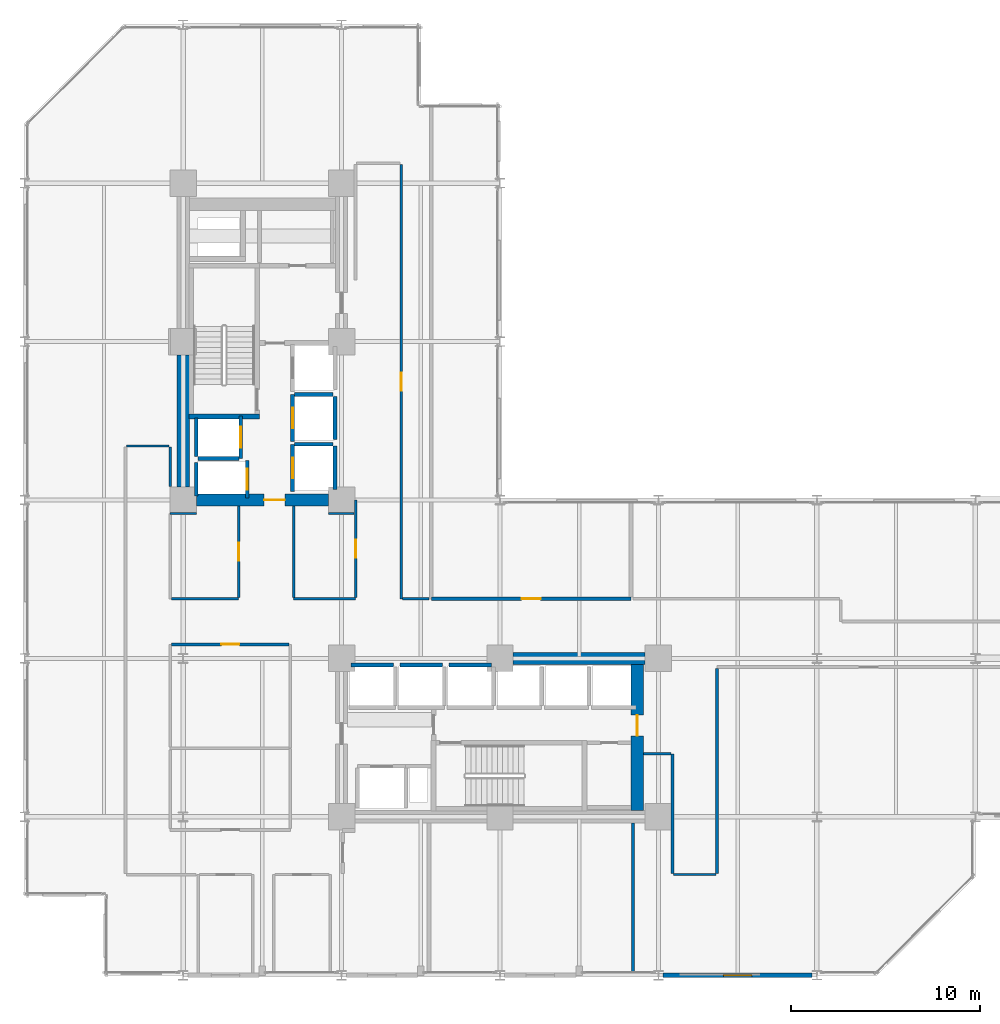
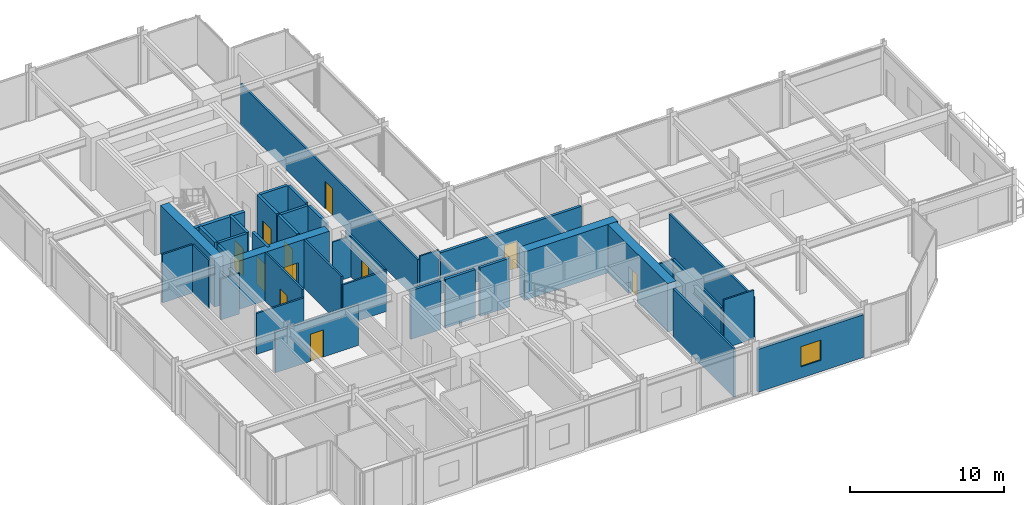
# One storey, part 22 of 26: 38 walls, 11 doors, 1 window, 12 openings.
"""IFC4 building model written with IfcOpenShell, lengths in metres."""

from ifc_helpers import new_model, si_unit, direction, frame, frame_2d, origin, place, context, subcontext, project, spatial, rectangle, extrude, material, layer, layer_set, type_object, element, fill, save


model = new_model("IFC4")

# Units and contexts
model_context = context("Model", 3, precision=1e-05, world=origin(), true_north=direction((0.0, 1.0)))
body_context = subcontext(model_context, "Body", "Model", "MODEL_VIEW")
ifc_project = project(units=[si_unit("LENGTHUNIT", "METRE"), si_unit("AREAUNIT", "SQUARE_METRE"), si_unit("VOLUMEUNIT", "CUBIC_METRE"), si_unit("PLANEANGLEUNIT", "RADIAN"), si_unit("MASSUNIT", "GRAM", prefix="KILO")], contexts=[model_context])

# Site, building, storey
site_placement = place(None, origin())
site = spatial("IfcSite", under=ifc_project, at=site_placement, CompositionType="ELEMENT")
building_placement = place(site_placement, origin())
building = spatial("IfcBuilding", under=site, at=building_placement, Name="Nerrivon Quay Data Exchange", CompositionType="ELEMENT")
storey_placement = place(building_placement, frame((0.0, 0.0, 75.199951171875)))
storey = spatial("IfcBuildingStorey", under=building, at=storey_placement, Name="L17", CompositionType="ELEMENT", Elevation=75.199951171875)

# Wall, opening, window
ifc_material_1 = material(Name="Architectural terracotta precast concrete N50 (50 MPa)", Category="masonry")
ifc_layer_1 = layer(ifc_material_1, 0.239990234375)
ifc_layer_set_1 = layer_set([ifc_layer_1], Name="Architectural terracotta precast concrete N50 (50 MPa)")
wall_type_1 = type_object("IfcWallType", Name="EW-PREC-240", PredefinedType="STANDARD", material=ifc_layer_set_1)
wall_1_placement = place(storey_placement, frame((41.75, 0.0, 0.0), z_axis=(0.0, 0.0, 1.0), x_axis=(-1.0, 0.0, 0.0)))
wall_1 = element("IfcWall", 1, at=wall_1_placement, inside=storey, type_object=wall_type_1, Name="L17 Podium Precast Spandrel Wall 7", PredefinedType="STANDARD", context=body_context, shape_type="SweptSolid", body=[
    extrude(rectangle(XDim=7.89990234375, YDim=0.239990234375, at=frame_2d((3.949951171875, 0.0))), origin(), (0.0, 0.0, 1.0), 3.39599609375),
])
opening_1_placement = place(wall_1_placement, frame((3.199951171875, 0.0, 0.89990234375)))
opening_1 = element("IfcOpeningElement", 2, at=opening_1_placement, cuts=wall_1, Name="Opening WN4", PredefinedType="OPENING", context=body_context, shape_type="SweptSolid", body=[
    extrude(rectangle(XDim=1.5, YDim=1.60009765625, at=frame_2d((0.75, 0.800048828125))), frame((0.0, 0.1298828125, 0.0), z_axis=(0.0, -1.0, 0.0), x_axis=(1.0, 0.0, 0.0)), (0.0, 0.0, 1.0), 0.260009765625),
])
ifc_material_2 = material(Name="Double-glazed low-E solar control glass", Category="glass")
window_type = type_object("IfcWindowType", Name="WIN-W4-1500x1600", PartitioningType="SINGLE_PANEL", PredefinedType="WINDOW", material=ifc_material_2)
window_placement = place(opening_1_placement, origin())
window = element("IfcWindow", 3, at=window_placement, inside=storey, type_object=window_type, Name="L17 Solar Facade Window 7", OverallHeight=1.60009765625, OverallWidth=1.5, PartitioningType="SINGLE_PANEL", PredefinedType="WINDOW", context=body_context, shape_type="SweptSolid", body=[
    extrude(rectangle(XDim=1.5, YDim=1.60009765625, at=frame_2d((0.75, 0.800048828125))), frame((0.0, 0.030029296875, 0.0), z_axis=(0.0, -1.0, 0.0), x_axis=(1.0, 0.0, 0.0)), (0.0, 0.0, 1.0), 0.06005859375),
])
fill(opening_1, window)

# Wall
ifc_material_3 = material(Name="Concrete N80 (80 MPa)", Category="concrete")
ifc_layer_2 = layer(ifc_material_3, 0.64990234375)
ifc_layer_set_2 = layer_set([ifc_layer_2], Name="Concrete N80 (80 MPa)")
wall_type_2 = type_object("IfcWallType", Name="WALL-CW-850", PredefinedType="SHEAR", material=ifc_layer_set_2)
wall_2_placement = place(storey_placement, frame((8.39990234375, 25.89990234375, 0.0), z_axis=(0.0, 0.0, 1.0), x_axis=(0.0, 1.0, 0.0)))
element("IfcWall", 4, at=wall_2_placement, inside=storey, type_object=wall_type_2, Name="L17 West Split-Core Shear Wall WCW-W1", PredefinedType="SHEAR", context=body_context, shape_type="SweptSolid", body=[
    extrude(rectangle(XDim=7.0, YDim=0.64990234375, at=frame_2d((3.5, 0.0))), origin(), (0.0, 0.0, 1.0), 3.85009765625),
])

# Wall, opening, door
wall_3_placement = place(storey_placement, frame((9.10009765625, 25.199951171875, 0.0), z_axis=(0.0, 0.0, 1.0), x_axis=(1.0, 0.0, 0.0)))
wall_3 = element("IfcWall", 5, at=wall_3_placement, inside=storey, type_object=wall_type_2, Name="L17 West Split-Core Shear Wall WCW-S1", PredefinedType="SHEAR", context=body_context, shape_type="SweptSolid", body=[
    extrude(rectangle(XDim=7.0, YDim=0.64990234375, at=frame_2d((3.5, 0.0))), origin(), (0.0, 0.0, 1.0), 3.85009765625),
])
opening_2_placement = place(wall_3_placement, frame((3.60009765625, 0.0, 0.0)))
opening_2 = element("IfcOpeningElement", 6, at=opening_2_placement, cuts=wall_3, Name="Opening FD-120", PredefinedType="OPENING", context=body_context, shape_type="SweptSolid", body=[
    extrude(rectangle(XDim=1.10009765625, YDim=2.14990234375, at=frame_2d((0.550048828125, 1.074951171875))), frame((0.0, 0.3349609375, 0.0), z_axis=(0.0, -1.0, 0.0), x_axis=(1.0, 0.0, 0.0)), (0.0, 0.0, 1.0), 0.669921875),
])
ifc_material_4 = material(Name="Powder-coated galvanized steel sheet", Category="steel")
door_type_1 = type_object("IfcDoorType", Name="DR-FD120-1100", OperationType="NOTDEFINED", PredefinedType="DOOR", material=ifc_material_4)
door_1_placement = place(opening_2_placement, origin())
door_1 = element("IfcDoor", 7, at=door_1_placement, inside=storey, type_object=door_type_1, Name="L17 West Core Lobby Fire Door", OperationType="SINGLE_SWING_LEFT", OverallHeight=2.14990234375, OverallWidth=1.10009765625, PredefinedType="DOOR", context=body_context, shape_type="SweptSolid", body=[
    extrude(rectangle(XDim=1.10009765625, YDim=2.14990234375, at=frame_2d((0.550048828125, 1.074951171875))), frame((0.0, 0.02490234375, 0.0), z_axis=(0.0, -1.0, 0.0), x_axis=(1.0, 0.0, 0.0)), (0.0, 0.0, 1.0), 0.050048828125),
])
fill(opening_2, door_1)

wall_4_placement = place(storey_placement, frame((32.47509765625, 8.72509765625, 0.0), z_axis=(0.0, 0.0, 1.0), x_axis=(0.0, 1.0, 0.0)))
wall_4 = element("IfcWall", 8, at=wall_4_placement, inside=storey, type_object=wall_type_2, Name="L17 East Split-Core Shear Wall ECW-E1", PredefinedType="SHEAR", context=body_context, shape_type="SweptSolid", body=[
    extrude(rectangle(XDim=7.75, YDim=0.64990234375, at=frame_2d((3.875, 0.0))), origin(), (0.0, 0.0, 1.0), 3.85009765625),
])
opening_3_placement = place(wall_4_placement, frame((3.97509765625, 0.0, 0.0)))
opening_3 = element("IfcOpeningElement", 9, at=opening_3_placement, cuts=wall_4, Name="Opening FD-120", PredefinedType="OPENING", context=body_context, shape_type="SweptSolid", body=[
    extrude(rectangle(XDim=1.10009765625, YDim=2.14990234375, at=frame_2d((0.550048828125, 1.074951171875))), frame((0.0, 0.3349609375, 0.0), z_axis=(0.0, -1.0, 0.0), x_axis=(1.0, 0.0, 0.0)), (0.0, 0.0, 1.0), 0.669921875),
])
door_2_placement = place(opening_3_placement, origin())
door_2 = element("IfcDoor", 10, at=door_2_placement, inside=storey, type_object=door_type_1, Name="L17 East Core Lobby Fire Door", OperationType="SINGLE_SWING_RIGHT", OverallHeight=2.14990234375, OverallWidth=1.10009765625, PredefinedType="DOOR", context=body_context, shape_type="SweptSolid", body=[
    extrude(rectangle(XDim=1.10009765625, YDim=2.14990234375, at=frame_2d((0.550048828125, 1.074951171875))), frame((0.0, 0.02490234375, 0.0), z_axis=(0.0, -1.0, 0.0), x_axis=(1.0, 0.0, 0.0)), (0.0, 0.0, 1.0), 0.050048828125),
])
fill(opening_3, door_2)

# Wall
wall_5_placement = place(storey_placement, frame((25.89990234375, 16.800048828125, 0.0), z_axis=(0.0, 0.0, 1.0), x_axis=(1.0, 0.0, 0.0)))
element("IfcWall", 11, at=wall_5_placement, inside=storey, type_object=wall_type_2, Name="L17 East Split-Core Shear Wall ECW-N1", PredefinedType="SHEAR", context=body_context, shape_type="SweptSolid", body=[
    extrude(rectangle(XDim=7.0, YDim=0.64990234375, at=frame_2d((3.5, 0.0))), origin(), (0.0, 0.0, 1.0), 3.85009765625),
])

# Wall, opening, door
ifc_material_5 = material(Name="Gypsum plasterboard on cold-formed framing", Category="gypsum")
ifc_layer_3 = layer(ifc_material_5, 0.199951171875)
ifc_layer_set_3 = layer_set([ifc_layer_3], Name="Gypsum plasterboard on cold-formed framing")
wall_type_3 = type_object("IfcWallType", Name="WALL-FW-200", PredefinedType="PARTITIONING", material=ifc_layer_set_3)
wall_6_placement = place(storey_placement, frame((11.449951171875, 27.39990234375, 0.0), z_axis=(0.0, 0.0, 1.0), x_axis=(0.0, 1.0, 0.0)))
wall_6 = element("IfcWall", 12, at=wall_6_placement, inside=storey, type_object=wall_type_3, Name="L17 Lift Front Wall FFL-1", PredefinedType="PARTITIONING", context=body_context, shape_type="SweptSolid", body=[
    extrude(rectangle(XDim=2.25, YDim=0.199951171875, at=frame_2d((1.125, 0.0))), origin(), (0.0, 0.0, 1.0), 3.85009765625),
])
opening_4_placement = place(wall_6_placement, frame((0.574951171875, 0.0, 0.0)))
opening_4 = element("IfcOpeningElement", 13, at=opening_4_placement, cuts=wall_6, Name="Opening LD-120", PredefinedType="OPENING", context=body_context, shape_type="SweptSolid", body=[
    extrude(rectangle(XDim=1.10009765625, YDim=2.199951171875, at=frame_2d((0.550048828125, 1.10009765625))), frame((0.0, 0.10986328125, 0.0), z_axis=(0.0, -1.0, 0.0), x_axis=(1.0, 0.0, 0.0)), (0.0, 0.0, 1.0), 0.219970703125),
])
door_type_2 = type_object("IfcDoorType", Name="DR-LIFT-LD120", OperationType="DOUBLE_DOOR_SLIDING", PredefinedType="DOOR", material=ifc_material_4)
door_3_placement = place(opening_4_placement, origin())
door_3 = element("IfcDoor", 14, at=door_3_placement, inside=storey, type_object=door_type_2, Name="L17 Lift Landing Sliding Door FFL-1", OperationType="DOUBLE_DOOR_SLIDING", OverallHeight=2.199951171875, OverallWidth=1.10009765625, PredefinedType="DOOR", context=body_context, shape_type="SweptSolid", body=[
    extrude(rectangle(XDim=1.10009765625, YDim=2.199951171875, at=frame_2d((0.550048828125, 1.10009765625))), frame((0.0, 0.02490234375, 0.0), z_axis=(0.0, -1.0, 0.0), x_axis=(1.0, 0.0, 0.0)), (0.0, 0.0, 1.0), 0.050048828125),
])
fill(opening_4, door_3)

# Walls
wall_7_placement = place(storey_placement, frame((9.10009765625, 27.5, 0.0), z_axis=(0.0, 0.0, 1.0), x_axis=(0.0, 1.0, 0.0)))
element("IfcWall", 15, at=wall_7_placement, inside=storey, type_object=wall_type_3, Name="L17 Lift Shaft Wall FFL-1 WEST", PredefinedType="PARTITIONING", context=body_context, shape_type="SweptSolid", body=[
    extrude(rectangle(XDim=2.050048828125, YDim=0.199951171875, at=frame_2d((1.02490234375, 0.0))), origin(), (0.0, 0.0, 1.0), 3.85009765625),
])
wall_8_placement = place(storey_placement, frame((9.199951171875, 27.39990234375, 0.0), z_axis=(0.0, 0.0, 1.0), x_axis=(1.0, 0.0, 0.0)))
element("IfcWall", 16, at=wall_8_placement, inside=storey, type_object=wall_type_3, Name="L17 Lift Shaft Wall FFL-1 SOUTH", PredefinedType="PARTITIONING", context=body_context, shape_type="SweptSolid", body=[
    extrude(rectangle(XDim=2.150146484375, YDim=0.199951171875, at=frame_2d((1.0751953125, 0.0))), origin(), (0.0, 0.0, 1.0), 3.85009765625),
])

# Wall, opening, door
wall_9_placement = place(storey_placement, frame((11.800048828125, 25.300048828125, 0.0), z_axis=(0.0, 0.0, 1.0), x_axis=(0.0, 1.0, 0.0)))
wall_9 = element("IfcWall", 17, at=wall_9_placement, inside=storey, type_object=wall_type_3, Name="L17 Lift Front Wall SVL-1", PredefinedType="PARTITIONING", context=body_context, shape_type="SweptSolid", body=[
    extrude(rectangle(XDim=2.0, YDim=0.199951171875, at=frame_2d((1.0, 0.0))), origin(), (0.0, 0.0, 1.0), 3.85009765625),
])
opening_5_placement = place(wall_9_placement, frame((0.449951171875, 0.0, 0.0)))
opening_5 = element("IfcOpeningElement", 18, at=opening_5_placement, cuts=wall_9, Name="Opening LD-120", PredefinedType="OPENING", context=body_context, shape_type="SweptSolid", body=[
    extrude(rectangle(XDim=1.10009765625, YDim=2.199951171875, at=frame_2d((0.550048828125, 1.10009765625))), frame((0.0, 0.10986328125, 0.0), z_axis=(0.0, -1.0, 0.0), x_axis=(1.0, 0.0, 0.0)), (0.0, 0.0, 1.0), 0.219970703125),
])
door_4_placement = place(opening_5_placement, origin())
door_4 = element("IfcDoor", 19, at=door_4_placement, inside=storey, type_object=door_type_2, Name="L17 Lift Landing Sliding Door SVL-1", OperationType="DOUBLE_DOOR_SLIDING", OverallHeight=2.199951171875, OverallWidth=1.10009765625, PredefinedType="DOOR", context=body_context, shape_type="SweptSolid", body=[
    extrude(rectangle(XDim=1.10009765625, YDim=2.199951171875, at=frame_2d((0.550048828125, 1.10009765625))), frame((0.0, 0.02490234375, 0.0), z_axis=(0.0, -1.0, 0.0), x_axis=(1.0, 0.0, 0.0)), (0.0, 0.0, 1.0), 0.050048828125),
])
fill(opening_5, door_4)

# Wall
wall_10_placement = place(storey_placement, frame((9.10009765625, 25.39990234375, 0.0), z_axis=(0.0, 0.0, 1.0), x_axis=(0.0, 1.0, 0.0)))
element("IfcWall", 20, at=wall_10_placement, inside=storey, type_object=wall_type_3, Name="L17 Lift Shaft Wall SVL-1 WEST", PredefinedType="PARTITIONING", context=body_context, shape_type="SweptSolid", body=[
    extrude(rectangle(XDim=1.800048828125, YDim=0.199951171875, at=frame_2d((0.89990234375, 0.0))), origin(), (0.0, 0.0, 1.0), 3.85009765625),
])

# Wall, opening, door
wall_11_placement = place(storey_placement, frame((14.199951171875, 25.64990234375, 0.0), z_axis=(0.0, 0.0, 1.0), x_axis=(0.0, 1.0, 0.0)))
wall_11 = element("IfcWall", 21, at=wall_11_placement, inside=storey, type_object=wall_type_3, Name="L17 Lift Front Wall PL1", PredefinedType="PARTITIONING", context=body_context, shape_type="SweptSolid", body=[
    extrude(rectangle(XDim=2.5, YDim=0.199951171875, at=frame_2d((1.25, 0.0))), origin(), (0.0, 0.0, 1.0), 3.85009765625),
])
opening_6_placement = place(wall_11_placement, frame((0.699951171875, 0.0, 0.0)))
opening_6 = element("IfcOpeningElement", 22, at=opening_6_placement, cuts=wall_11, Name="Opening LD-120", PredefinedType="OPENING", context=body_context, shape_type="SweptSolid", body=[
    extrude(rectangle(XDim=1.10009765625, YDim=2.199951171875, at=frame_2d((0.550048828125, 1.10009765625))), frame((0.0, 0.10986328125, 0.0), z_axis=(0.0, -1.0, 0.0), x_axis=(1.0, 0.0, 0.0)), (0.0, 0.0, 1.0), 0.219970703125),
])
door_5_placement = place(opening_6_placement, origin())
door_5 = element("IfcDoor", 23, at=door_5_placement, inside=storey, type_object=door_type_2, Name="L17 Lift Landing Sliding Door PL1", OperationType="DOUBLE_DOOR_SLIDING", OverallHeight=2.199951171875, OverallWidth=1.10009765625, PredefinedType="DOOR", context=body_context, shape_type="SweptSolid", body=[
    extrude(rectangle(XDim=1.10009765625, YDim=2.199951171875, at=frame_2d((0.550048828125, 1.10009765625))), frame((0.0, 0.02490234375, 0.0), z_axis=(0.0, -1.0, 0.0), x_axis=(1.0, 0.0, 0.0)), (0.0, 0.0, 1.0), 0.050048828125),
])
fill(opening_6, door_5)

# Walls
wall_12_placement = place(storey_placement, frame((16.449951171875, 25.75, 0.0), z_axis=(0.0, 0.0, 1.0), x_axis=(0.0, 1.0, 0.0)))
element("IfcWall", 24, at=wall_12_placement, inside=storey, type_object=wall_type_3, Name="L17 Lift Shaft Wall PL1 EAST", PredefinedType="PARTITIONING", context=body_context, shape_type="SweptSolid", body=[
    extrude(rectangle(XDim=2.300048828125, YDim=0.199951171875, at=frame_2d((1.14990234375, 0.0))), origin(), (0.0, 0.0, 1.0), 3.85009765625),
])
wall_13_placement = place(storey_placement, frame((14.300048828125, 28.14990234375, 0.0), z_axis=(0.0, 0.0, 1.0), x_axis=(1.0, 0.0, 0.0)))
element("IfcWall", 25, at=wall_13_placement, inside=storey, type_object=wall_type_3, Name="L17 Lift Shaft Wall PL1 NORTH", PredefinedType="PARTITIONING", context=body_context, shape_type="SweptSolid", body=[
    extrude(rectangle(XDim=2.050048828125, YDim=0.199951171875, at=frame_2d((1.02490234375, 0.0))), origin(), (0.0, 0.0, 1.0), 3.85009765625),
])

# Wall, opening, door
wall_14_placement = place(storey_placement, frame((14.199951171875, 28.300048828125, 0.0), z_axis=(0.0, 0.0, 1.0), x_axis=(0.0, 1.0, 0.0)))
wall_14 = element("IfcWall", 26, at=wall_14_placement, inside=storey, type_object=wall_type_3, Name="L17 Lift Front Wall PL2", PredefinedType="PARTITIONING", context=body_context, shape_type="SweptSolid", body=[
    extrude(rectangle(XDim=2.5, YDim=0.199951171875, at=frame_2d((1.25, 0.0))), origin(), (0.0, 0.0, 1.0), 3.85009765625),
])
opening_7_placement = place(wall_14_placement, frame((0.699951171875, 0.0, 0.0)))
opening_7 = element("IfcOpeningElement", 27, at=opening_7_placement, cuts=wall_14, Name="Opening LD-120", PredefinedType="OPENING", context=body_context, shape_type="SweptSolid", body=[
    extrude(rectangle(XDim=1.10009765625, YDim=2.199951171875, at=frame_2d((0.550048828125, 1.10009765625))), frame((0.0, 0.10986328125, 0.0), z_axis=(0.0, -1.0, 0.0), x_axis=(1.0, 0.0, 0.0)), (0.0, 0.0, 1.0), 0.219970703125),
])
door_6_placement = place(opening_7_placement, origin())
door_6 = element("IfcDoor", 28, at=door_6_placement, inside=storey, type_object=door_type_2, Name="L17 Lift Landing Sliding Door PL2", OperationType="DOUBLE_DOOR_SLIDING", OverallHeight=2.199951171875, OverallWidth=1.10009765625, PredefinedType="DOOR", context=body_context, shape_type="SweptSolid", body=[
    extrude(rectangle(XDim=1.10009765625, YDim=2.199951171875, at=frame_2d((0.550048828125, 1.10009765625))), frame((0.0, 0.02490234375, 0.0), z_axis=(0.0, -1.0, 0.0), x_axis=(1.0, 0.0, 0.0)), (0.0, 0.0, 1.0), 0.050048828125),
])
fill(opening_7, door_6)

# Walls
wall_15_placement = place(storey_placement, frame((16.449951171875, 28.39990234375, 0.0), z_axis=(0.0, 0.0, 1.0), x_axis=(0.0, 1.0, 0.0)))
element("IfcWall", 29, at=wall_15_placement, inside=storey, type_object=wall_type_3, Name="L17 Lift Shaft Wall PL2 EAST", PredefinedType="PARTITIONING", context=body_context, shape_type="SweptSolid", body=[
    extrude(rectangle(XDim=2.300048828125, YDim=0.199951171875, at=frame_2d((1.14990234375, 0.0))), origin(), (0.0, 0.0, 1.0), 3.85009765625),
])
wall_16_placement = place(storey_placement, frame((14.300048828125, 30.800048828125, 0.0), z_axis=(0.0, 0.0, 1.0), x_axis=(1.0, 0.0, 0.0)))
element("IfcWall", 30, at=wall_16_placement, inside=storey, type_object=wall_type_3, Name="L17 Lift Shaft Wall PL2 NORTH", PredefinedType="PARTITIONING", context=body_context, shape_type="SweptSolid", body=[
    extrude(rectangle(XDim=2.050048828125, YDim=0.199951171875, at=frame_2d((1.02490234375, 0.0))), origin(), (0.0, 0.0, 1.0), 3.85009765625),
])
for number, where, z_axis, x_axis, name in (
    (31, (17.300048828125, 16.449951171875, 0.0), (0.0, 0.0, 1.0), (1.0, 0.0, 0.0), "L17 Lift Shaft Wall PL4 NORTH"),
    (32, (19.89990234375, 16.449951171875, 0.0), (0.0, 0.0, 1.0), (1.0, 0.0, 0.0), "L17 Lift Shaft Wall PL5 NORTH"),
    (33, (22.5, 16.449951171875, 0.0), (0.0, 0.0, 1.0), (1.0, 0.0, 0.0), "L17 Lift Shaft Wall PL6 NORTH"),
):
    element("IfcWall", number, at=place(storey_placement, frame(where, z_axis=z_axis, x_axis=x_axis)), inside=storey, type_object=wall_type_3, Name=name, PredefinedType="PARTITIONING", context=body_context, shape_type="SweptSolid", body=[
        extrude(rectangle(XDim=2.25, YDim=0.199951171875, at=frame_2d((1.125, 0.0))), origin(), (0.0, 0.0, 1.0), 3.85009765625),
    ])

# Wall, opening, door
wall_17_placement = place(storey_placement, frame((21.556884765625, 19.9599609375, 0.0), z_axis=(0.0, 0.0, 1.0), x_axis=(1.0, 0.0, 0.0)))
wall_17 = element("IfcWall", 34, at=wall_17_placement, inside=storey, type_object=wall_type_3, Name="L17 Partition Colocation Data Workspace 2", PredefinedType="PARTITIONING", context=body_context, shape_type="SweptSolid", body=[
    extrude(rectangle(XDim=10.5830078125, YDim=0.199951171875, at=frame_2d((5.29150390625, 0.0))), origin(), (0.0, 0.0, 1.0), 3.248046875),
])
opening_8_placement = place(wall_17_placement, frame((4.79150390625, 0.0, 0.0)))
opening_8 = element("IfcOpeningElement", 35, at=opening_8_placement, cuts=wall_17, Name="Opening FD-60", PredefinedType="OPENING", context=body_context, shape_type="SweptSolid", body=[
    extrude(rectangle(XDim=1.0, YDim=2.14990234375, at=frame_2d((0.5, 1.074951171875))), frame((0.0, 0.10986328125, 0.0), z_axis=(0.0, -1.0, 0.0), x_axis=(1.0, 0.0, 0.0)), (0.0, 0.0, 1.0), 0.219970703125),
])
ifc_material_6 = material(Name="Engineered hardwood timber", Category="wood")
door_type_3 = type_object("IfcDoorType", Name="DR-FD60-1000", OperationType="NOTDEFINED", PredefinedType="DOOR", material=ifc_material_6)
door_7_placement = place(opening_8_placement, origin())
door_7 = element("IfcDoor", 36, at=door_7_placement, inside=storey, type_object=door_type_3, Name="L17 Door Colocation Data Workspace 2", OperationType="SINGLE_SWING_RIGHT", OverallHeight=2.14990234375, OverallWidth=1.0, PredefinedType="DOOR", context=body_context, shape_type="SweptSolid", body=[
    extrude(rectangle(XDim=1.0, YDim=2.14990234375, at=frame_2d((0.5, 1.074951171875))), frame((0.0, 0.02490234375, 0.0), z_axis=(0.0, -1.0, 0.0), x_axis=(1.0, 0.0, 0.0)), (0.0, 0.0, 1.0), 0.050048828125),
])
fill(opening_8, door_7)

# Walls
ifc_layer_4 = layer(ifc_material_5, 0.1201171875)
ifc_layer_set_4 = layer_set([ifc_layer_4], Name="Gypsum plasterboard on cold-formed framing")
wall_type_4 = type_object("IfcWallType", Name="WALL-PT-120", PredefinedType="PARTITIONING", material=ifc_layer_set_4)
wall_18_placement = place(storey_placement, frame((17.468505859375, 24.47998046875, 0.0), z_axis=(0.0, 0.0, 1.0), x_axis=(-0.99999974752, 0.000710605612, 0.0)))
element("IfcWall", 37, at=wall_18_placement, inside=storey, type_object=wall_type_4, Name="L17 Partition Staff Pantry", PredefinedType="PARTITIONING", context=body_context, shape_type="SweptSolid", body=[
    extrude(rectangle(XDim=1.374267578125, YDim=0.1201171875, at=frame_2d((0.68701171875, 0.0))), origin(), (0.0, 0.0, 1.0), 3.248046875),
])
wall_19_placement = place(storey_placement, frame((36.64990234375, 5.340087890625, 0.0), z_axis=(0.0, 0.0, 1.0), x_axis=(-1.0, 0.0, 0.0)))
element("IfcWall", 38, at=wall_19_placement, inside=storey, type_object=wall_type_4, Name="L17 Partition Network Operations Office 1", PredefinedType="PARTITIONING", context=body_context, shape_type="SweptSolid", body=[
    extrude(rectangle(XDim=2.25, YDim=0.1201171875, at=frame_2d((1.125, 0.0))), origin(), (0.0, 0.0, 1.0), 3.85009765625),
])
wall_20_placement = place(storey_placement, frame((34.260986328125, 11.739990234375, 0.0), z_axis=(0.0, 0.0, 1.0), x_axis=(-1.0, 0.0, 0.0)))
element("IfcWall", 39, at=wall_20_placement, inside=storey, type_object=wall_type_4, Name="L17 Partition Network Operations Office 1", PredefinedType="PARTITIONING", context=body_context, shape_type="SweptSolid", body=[
    extrude(rectangle(XDim=1.45703125, YDim=0.1201171875, at=frame_2d((0.728515625, 0.0))), origin(), (0.0, 0.0, 1.0), 3.248046875),
])
wall_21_placement = place(storey_placement, frame((20.0390625, 19.9599609375, 0.0), z_axis=(0.0, 0.0, 1.0), x_axis=(1.0, 0.0, 0.0)))
element("IfcWall", 40, at=wall_21_placement, inside=storey, type_object=wall_type_4, Name="L17 Partition Optical Engineering Studios Workspace", PredefinedType="PARTITIONING", context=body_context, shape_type="SweptSolid", body=[
    extrude(rectangle(XDim=1.397705078125, YDim=0.1201171875, at=frame_2d((0.69873046875, 0.0))), origin(), (0.0, 0.0, 1.0), 3.490966796875),
])
wall_22_placement = place(storey_placement, frame((5.39990234375, 28.06005859375, 0.0), z_axis=(0.0, 0.0, 1.0), x_axis=(1.0, 0.0, 0.0)))
element("IfcWall", 41, at=wall_22_placement, inside=storey, type_object=wall_type_4, Name="L17 Partition Optical Engineering Studios Workspace", PredefinedType="PARTITIONING", context=body_context, shape_type="SweptSolid", body=[
    extrude(rectangle(XDim=2.25, YDim=0.1201171875, at=frame_2d((1.125, 0.0))), origin(), (0.0, 0.0, 1.0), 3.85009765625),
])
wall_23_placement = place(storey_placement, frame((7.7099609375, 28.0, 0.0), z_axis=(0.0, 0.0, 1.0), x_axis=(0.0, -1.0, 0.0)))
element("IfcWall", 42, at=wall_23_placement, inside=storey, type_object=wall_type_4, Name="L17 Partition Optical Engineering Studios Workspace", PredefinedType="PARTITIONING", context=body_context, shape_type="SweptSolid", body=[
    extrude(rectangle(XDim=2.080078125, YDim=0.1201171875, at=frame_2d((1.0400390625, 0.0))), origin(), (0.0, 0.0, 1.0), 3.85009765625),
])
wall_24_placement = place(storey_placement, frame((9.105712890625, 24.48095703125, 0.0), z_axis=(0.0, 0.0, 1.0), x_axis=(-0.999999755233, -0.000699667487, 0.0)))
element("IfcWall", 43, at=wall_24_placement, inside=storey, type_object=wall_type_4, Name="L17 Partition Optical Engineering Studios Workspace", PredefinedType="PARTITIONING", context=body_context, shape_type="SweptSolid", body=[
    extrude(rectangle(XDim=1.395751953125, YDim=0.1201171875, at=frame_2d((0.69775390625, 0.0))), origin(), (0.0, 0.0, 1.0), 3.248046875),
])
ifc_layer_5 = layer(ifc_material_5, 0.135009765625)
ifc_layer_set_5 = layer_set([ifc_layer_5], Name="Gypsum plasterboard on cold-formed framing")
wall_type_5 = type_object("IfcWallType", Name="WALL-PT-135", PredefinedType="PARTITIONING", material=ifc_layer_set_5)
wall_25_placement = place(storey_placement, frame((14.260009765625, 19.9599609375, 0.0), z_axis=(0.0, 0.0, 1.0), x_axis=(1.0, 0.0, 0.0)))
element("IfcWall", 44, at=wall_25_placement, inside=storey, type_object=wall_type_5, Name="L17 Partition Staff Pantry", PredefinedType="PARTITIONING", context=body_context, shape_type="SweptSolid", body=[
    extrude(rectangle(XDim=3.280029296875, YDim=0.135009765625, at=frame_2d((1.64013671875, 0.0))), origin(), (0.0, 0.0, 1.0), 3.248046875),
])

# Wall, opening, door
wall_26_placement = place(storey_placement, frame((17.5400390625, 20.031494140625, 0.0), z_axis=(0.0, 0.0, 1.0), x_axis=(0.0, 1.0, 0.0)))
wall_26 = element("IfcWall", 45, at=wall_26_placement, inside=storey, type_object=wall_type_5, Name="L17 Partition Staff Pantry", PredefinedType="PARTITIONING", context=body_context, shape_type="SweptSolid", body=[
    extrude(rectangle(XDim=5.16845703125, YDim=0.135009765625, at=frame_2d((2.584228515625, 0.0))), origin(), (0.0, 0.0, 1.0), 3.238037109375),
])
opening_9_placement = place(wall_26_placement, frame((2.109130859375, 0.0, 0.0)))
opening_9 = element("IfcOpeningElement", 46, at=opening_9_placement, cuts=wall_26, Name="Opening D-01", PredefinedType="OPENING", context=body_context, shape_type="SweptSolid", body=[
    extrude(rectangle(XDim=0.949951171875, YDim=2.14990234375, at=frame_2d((0.47509765625, 1.074951171875))), frame((0.0, 0.077392578125, 0.0), z_axis=(0.0, -1.0, 0.0), x_axis=(1.0, 0.0, 0.0)), (0.0, 0.0, 1.0), 0.155029296875),
])
door_type_4 = type_object("IfcDoorType", Name="DR-INT-950", OperationType="NOTDEFINED", PredefinedType="DOOR", material=ifc_material_6)
door_8_placement = place(opening_9_placement, origin())
door_8 = element("IfcDoor", 47, at=door_8_placement, inside=storey, type_object=door_type_4, Name="L17 Door Staff Pantry", OperationType="SINGLE_SWING_RIGHT", OverallHeight=2.14990234375, OverallWidth=0.949951171875, PredefinedType="DOOR", context=body_context, shape_type="SweptSolid", body=[
    extrude(rectangle(XDim=0.949951171875, YDim=2.14990234375, at=frame_2d((0.47509765625, 1.074951171875))), frame((0.0, 0.02490234375, 0.0), z_axis=(0.0, -1.0, 0.0), x_axis=(1.0, 0.0, 0.0)), (0.0, 0.0, 1.0), 0.050048828125),
])
fill(opening_9, door_8)

# Walls
wall_27_placement = place(storey_placement, frame((14.260009765625, 24.87109375, 0.0), z_axis=(0.0, 0.0, 1.0), x_axis=(0.0, -1.0, 0.0)))
element("IfcWall", 48, at=wall_27_placement, inside=storey, type_object=wall_type_5, Name="L17 Partition Staff Pantry", PredefinedType="PARTITIONING", context=body_context, shape_type="SweptSolid", body=[
    extrude(rectangle(XDim=4.839599609375, YDim=0.135009765625, at=frame_2d((2.419921875, 0.0))), origin(), (0.0, 0.0, 1.0), 3.85009765625),
])
wall_28_placement = place(storey_placement, frame((7.781494140625, 19.9599609375, 0.0), z_axis=(0.0, 0.0, 1.0), x_axis=(1.0, 0.0, 0.0)))
element("IfcWall", 49, at=wall_28_placement, inside=storey, type_object=wall_type_5, Name="L17 Partition Optical Engineering Studios Workspace", PredefinedType="PARTITIONING", context=body_context, shape_type="SweptSolid", body=[
    extrude(rectangle(XDim=3.55859375, YDim=0.135009765625, at=frame_2d((1.779296875, 0.0))), origin(), (0.0, 0.0, 1.0), 3.248046875),
])

# Wall, opening, door
wall_29_placement = place(storey_placement, frame((11.340087890625, 20.031494140625, 0.0), z_axis=(0.0, 0.0, 1.0), x_axis=(0.0, 1.0, 0.0)))
wall_29 = element("IfcWall", 50, at=wall_29_placement, inside=storey, type_object=wall_type_5, Name="L17 Partition Optical Engineering Studios Workspace", PredefinedType="PARTITIONING", context=body_context, shape_type="SweptSolid", body=[
    extrude(rectangle(XDim=4.839599609375, YDim=0.135009765625, at=frame_2d((2.419921875, 0.0))), origin(), (0.0, 0.0, 1.0), 3.85009765625),
])
opening_10_placement = place(wall_29_placement, frame((1.944580078125, 0.0, 0.0)))
opening_10 = element("IfcOpeningElement", 51, at=opening_10_placement, cuts=wall_29, Name="Opening D-01", PredefinedType="OPENING", context=body_context, shape_type="SweptSolid", body=[
    extrude(rectangle(XDim=0.949951171875, YDim=2.14990234375, at=frame_2d((0.47509765625, 1.074951171875))), frame((0.0, 0.077392578125, 0.0), z_axis=(0.0, -1.0, 0.0), x_axis=(1.0, 0.0, 0.0)), (0.0, 0.0, 1.0), 0.155029296875),
])
door_9_placement = place(opening_10_placement, origin())
door_9 = element("IfcDoor", 52, at=door_9_placement, inside=storey, type_object=door_type_4, Name="L17 Door Optical Engineering Studios Workspace", OperationType="SINGLE_SWING_LEFT", OverallHeight=2.14990234375, OverallWidth=0.949951171875, PredefinedType="DOOR", context=body_context, shape_type="SweptSolid", body=[
    extrude(rectangle(XDim=0.949951171875, YDim=2.14990234375, at=frame_2d((0.47509765625, 1.074951171875))), frame((0.0, 0.02490234375, 0.0), z_axis=(0.0, -1.0, 0.0), x_axis=(1.0, 0.0, 0.0)), (0.0, 0.0, 1.0), 0.050048828125),
])
fill(opening_10, door_9)

ifc_layer_6 = layer(ifc_material_5, 0.14990234375)
ifc_layer_set_6 = layer_set([ifc_layer_6], Name="Gypsum plasterboard on cold-formed framing")
wall_type_6 = type_object("IfcWallType", Name="WALL-PT-150", PredefinedType="PARTITIONING", material=ifc_layer_set_6)
wall_30_placement = place(storey_placement, frame((14.0185546875, 17.5400390625, 0.0), z_axis=(0.0, 0.0, 1.0), x_axis=(-1.0, 0.0, 0.0)))
wall_30 = element("IfcWall", 53, at=wall_30_placement, inside=storey, type_object=wall_type_6, Name="L17 Partition Cloud Compute Workspace 1", PredefinedType="PARTITIONING", context=body_context, shape_type="SweptSolid", body=[
    extrude(rectangle(XDim=6.237060546875, YDim=0.14990234375, at=frame_2d((3.11865234375, 0.0))), origin(), (0.0, 0.0, 1.0), 3.248046875),
])
opening_11_placement = place(wall_30_placement, frame((2.6435546875, 0.0, 0.0)))
opening_11 = element("IfcOpeningElement", 54, at=opening_11_placement, cuts=wall_30, Name="Opening D-01", PredefinedType="OPENING", context=body_context, shape_type="SweptSolid", body=[
    extrude(rectangle(XDim=0.949951171875, YDim=2.14990234375, at=frame_2d((0.47509765625, 1.074951171875))), frame((0.0, 0.0849609375, 0.0), z_axis=(0.0, -1.0, 0.0), x_axis=(1.0, 0.0, 0.0)), (0.0, 0.0, 1.0), 0.169921875),
])
door_10_placement = place(opening_11_placement, origin())
door_10 = element("IfcDoor", 55, at=door_10_placement, inside=storey, type_object=door_type_4, Name="L17 Door Cloud Compute Workspace 1", OperationType="SINGLE_SWING_RIGHT", OverallHeight=2.14990234375, OverallWidth=0.949951171875, PredefinedType="DOOR", context=body_context, shape_type="SweptSolid", body=[
    extrude(rectangle(XDim=0.949951171875, YDim=2.14990234375, at=frame_2d((0.47509765625, 1.074951171875))), frame((0.0, 0.02490234375, 0.0), z_axis=(0.0, -1.0, 0.0), x_axis=(1.0, 0.0, 0.0)), (0.0, 0.0, 1.0), 0.050048828125),
])
fill(opening_11, door_10)

# Walls
wall_31_placement = place(storey_placement, frame((36.7099609375, 16.260986328125, 0.0), z_axis=(0.0, 0.0, 1.0), x_axis=(0.0, -1.0, 0.0)))
element("IfcWall", 56, at=wall_31_placement, inside=storey, type_object=wall_type_6, Name="L17 Partition Network Operations Office 1", PredefinedType="PARTITIONING", context=body_context, shape_type="SweptSolid", body=[
    extrude(rectangle(XDim=10.861083984375, YDim=0.14990234375, at=frame_2d((5.4306640625, 0.0))), origin(), (0.0, 0.0, 1.0), 3.238037109375),
])
wall_32_placement = place(storey_placement, frame((34.340087890625, 5.39990234375, 0.0), z_axis=(0.0, 0.0, 1.0), x_axis=(0.0, 1.0, 0.0)))
element("IfcWall", 57, at=wall_32_placement, inside=storey, type_object=wall_type_6, Name="L17 Partition Network Operations Office 1", PredefinedType="PARTITIONING", context=body_context, shape_type="SweptSolid", body=[
    extrude(rectangle(XDim=6.340087890625, YDim=0.14990234375, at=frame_2d((3.169921875, 0.0))), origin(), (0.0, 0.0, 1.0), 3.238037109375),
])
wall_33_placement = place(storey_placement, frame((32.260009765625, 8.071044921875, 0.0), z_axis=(0.0, 0.0, 1.0), x_axis=(0.0, -1.0, 0.0)))
element("IfcWall", 58, at=wall_33_placement, inside=storey, type_object=wall_type_6, Name="L17 Partition Network Operations Office 1", PredefinedType="PARTITIONING", context=body_context, shape_type="SweptSolid", body=[
    extrude(rectangle(XDim=7.902099609375, YDim=0.14990234375, at=frame_2d((3.951171875, 0.0))), origin(), (0.0, 0.0, 1.0), 3.85009765625),
])

# Wall, opening, door
wall_34_placement = place(storey_placement, frame((19.9599609375, 43.0, 0.0), z_axis=(0.0, 0.0, 1.0), x_axis=(0.0, -1.0, 0.0)))
wall_34 = element("IfcWall", 59, at=wall_34_placement, inside=storey, type_object=wall_type_6, Name="L17 Partition Optical Engineering Studios Workspace", PredefinedType="PARTITIONING", context=body_context, shape_type="SweptSolid", body=[
    extrude(rectangle(XDim=23.0400390625, YDim=0.14990234375, at=frame_2d((11.52001953125, 0.0))), origin(), (0.0, 0.0, 1.0), 3.238037109375),
])
opening_12_placement = place(wall_34_placement, frame((11.044921875, 0.0, 0.0)))
opening_12 = element("IfcOpeningElement", 60, at=opening_12_placement, cuts=wall_34, Name="Opening D-01", PredefinedType="OPENING", context=body_context, shape_type="SweptSolid", body=[
    extrude(rectangle(XDim=0.949951171875, YDim=2.14990234375, at=frame_2d((0.47509765625, 1.074951171875))), frame((0.0, 0.0849609375, 0.0), z_axis=(0.0, -1.0, 0.0), x_axis=(1.0, 0.0, 0.0)), (0.0, 0.0, 1.0), 0.169921875),
])
door_11_placement = place(opening_12_placement, origin())
door_11 = element("IfcDoor", 61, at=door_11_placement, inside=storey, type_object=door_type_4, Name="L17 Door Optical Engineering Studios Workspace", OperationType="SINGLE_SWING_RIGHT", OverallHeight=2.14990234375, OverallWidth=0.949951171875, PredefinedType="DOOR", context=body_context, shape_type="SweptSolid", body=[
    extrude(rectangle(XDim=0.949951171875, YDim=2.14990234375, at=frame_2d((0.47509765625, 1.074951171875))), frame((0.0, 0.02490234375, 0.0), z_axis=(0.0, -1.0, 0.0), x_axis=(1.0, 0.0, 0.0)), (0.0, 0.0, 1.0), 0.050048828125),
])
fill(opening_12, door_11)

# Wall
ifc_material_7 = material(Name="Concrete N50 (50 MPa)", Category="concrete")
ifc_layer_7 = layer(ifc_material_7, 0.25)
ifc_layer_set_7 = layer_set([ifc_layer_7], Name="Concrete N50 (50 MPa)")
wall_type_7 = type_object("IfcWallType", Name="WALL-SW-250", PredefinedType="SHEAR", material=ifc_layer_set_7)
wall_35_placement = place(storey_placement, frame((12.449951171875, 29.625, 0.0), z_axis=(0.0, 0.0, 1.0), x_axis=(-1.0, 0.0, 0.0)))
element("IfcWall", 62, at=wall_35_placement, inside=storey, type_object=wall_type_7, Name="L17 ST01 Structural Stair Core Wall NEAR", PredefinedType="SHEAR", context=body_context, shape_type="SweptSolid", body=[
    extrude(rectangle(XDim=3.75, YDim=0.25, at=frame_2d((1.875, 0.0))), origin(), (0.0, 0.0, 1.0), 3.85009765625),
])

save(model, "model.ifc")
